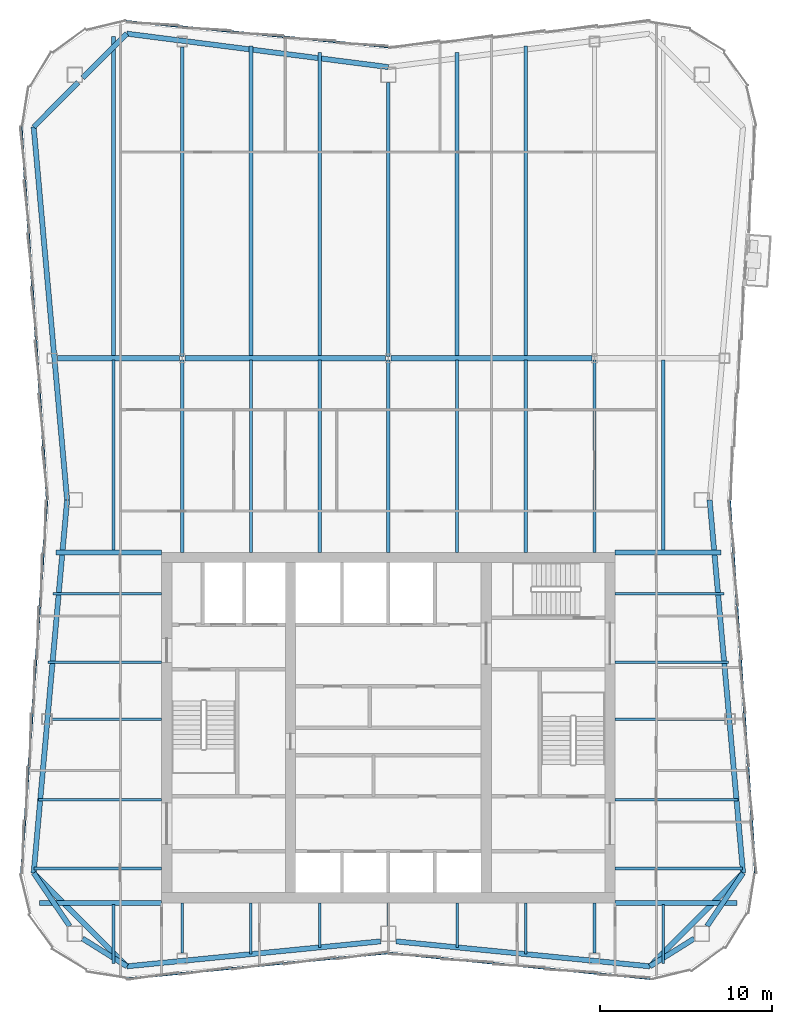
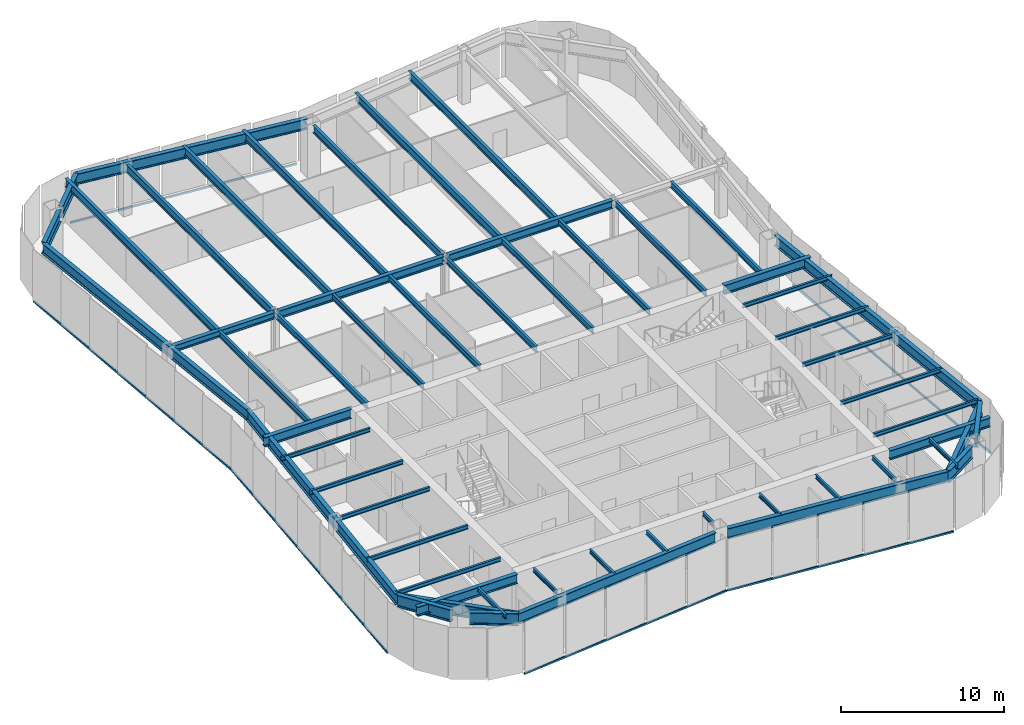
# One storey, part 3 of 10: 56 beams, 6 members, 4 elements without a shape of their own.
"""IFC4 building model written with IfcOpenShell, lengths in metres."""

from ifc_helpers import new_model, si_unit, direction, frame, origin, origin_2d, place, context, subcontext, project, spatial, rectangle, i_section, extrude, material, material_profile, profile_set, type_object, element, aggregate, save


model = new_model("IFC4")

# Units and contexts
model_context = context("Model", 3, precision=1e-05, world=origin(), true_north=direction((0.0, 1.0)))
body_context = subcontext(model_context, "Body", "Model", "MODEL_VIEW")
ifc_project = project(units=[si_unit("LENGTHUNIT", "METRE"), si_unit("AREAUNIT", "SQUARE_METRE"), si_unit("VOLUMEUNIT", "CUBIC_METRE"), si_unit("PLANEANGLEUNIT", "RADIAN"), si_unit("MASSUNIT", "GRAM", prefix="KILO")], contexts=[model_context])

# Site, building, storey
site_placement = place(None, origin())
site = spatial("IfcSite", under=ifc_project, at=site_placement, CompositionType="ELEMENT")
building_placement = place(site_placement, origin())
building = spatial("IfcBuilding", under=site, at=building_placement, Name="Verdant Reach Tower", CompositionType="ELEMENT")
storey_placement = place(building_placement, frame((0.0, 0.0, 310.0)))
storey = spatial("IfcBuildingStorey", under=building, at=storey_placement, Name="L71", CompositionType="ELEMENT", Elevation=310.0)

# Curtain wall, member
ifc_material_1 = material(Name="Anodised aluminium", Category="aluminium")
curtain_wall_type = type_object("IfcCurtainWallType", Name="EN-CW SYSTEM Z5", PredefinedType="NOTDEFINED", material=ifc_material_1)
curtain_wall_1_placement = place(storey_placement, origin())
curtain_wall_1 = element("IfcCurtainWall", 1, at=curtain_wall_1_placement, inside=storey, type_object=curtain_wall_type, Name="Curtain wall east, L71", PredefinedType="NOTDEFINED")
ifc_material_profile_1 = material_profile(ifc_material_1, rectangle(XDim=0.10009765625, YDim=0.1298828125, at=origin_2d()), Name="Transom 130x100")
ifc_profile_set_1 = profile_set([ifc_material_profile_1], Name="Anodised aluminium")
member_type = type_object("IfcMemberType", Name="EN-TRANSOM Z5", PredefinedType="USERDEFINED", material=ifc_profile_set_1)
member_1_placement = place(storey_placement, frame((21.3623046875, 19.527587890625, -0.284912109375), z_axis=(-0.068764705107, 0.997632906099, 0.0), x_axis=(-0.997632906099, -0.068764705107, 0.0)))
member_1 = element("IfcMember", 2, at=member_1_placement, type_object=member_type, Name="Transom east face part 1 1.1, L71", ObjectType="TRANSOM", PredefinedType="USERDEFINED", context=body_context, shape_type="SweptSolid", body=[
    extrude(rectangle(XDim=0.10009765625, YDim=0.1298828125, at=origin_2d()), origin(), (0.0, 0.0, 1.0), 21.739013671875),
])
aggregate(curtain_wall_1, [member_1])

curtain_wall_2_placement = place(storey_placement, origin())
curtain_wall_2 = element("IfcCurtainWall", 3, at=curtain_wall_2_placement, inside=storey, type_object=curtain_wall_type, Name="Curtain wall north, L71", PredefinedType="NOTDEFINED")
member_2_placement = place(storey_placement, frame((-0.034912109375, 67.618408203125, -0.284912109375), z_axis=(-0.99520229006, 0.097838652171, 0.0), x_axis=(-0.097838652171, -0.99520229006, 0.0)))
member_2 = element("IfcMember", 4, at=member_2_placement, type_object=member_type, Name="Transom north face part 2 1.1, L71", ObjectType="TRANSOM", PredefinedType="USERDEFINED", context=body_context, shape_type="SweptSolid", body=[
    extrude(rectangle(XDim=0.10009765625, YDim=0.1298828125, at=origin_2d()), origin(), (0.0, 0.0, 1.0), 15.259033203125),
])
aggregate(curtain_wall_2, [member_2])

# Curtain wall, members
curtain_wall_3_placement = place(storey_placement, origin())
curtain_wall_3 = element("IfcCurtainWall", 5, at=curtain_wall_3_placement, inside=storey, type_object=curtain_wall_type, Name="Curtain wall west, L71", PredefinedType="NOTDEFINED")
member_3_placement = place(storey_placement, frame((-21.3623046875, 62.972412109375, -0.284912109375), z_axis=(0.068764705107, -0.997632906099, 0.0), x_axis=(0.997632906099, 0.068764705107, 0.0)))
member_3 = element("IfcMember", 6, at=member_3_placement, type_object=member_type, Name="Transom west face part 1 1.1, L71", ObjectType="TRANSOM", PredefinedType="USERDEFINED", context=body_context, shape_type="SweptSolid", body=[
    extrude(rectangle(XDim=0.10009765625, YDim=0.1298828125, at=origin_2d()), origin(), (0.0, 0.0, 1.0), 21.739013671875),
])
member_4_placement = place(storey_placement, frame((-19.867431640625, 41.215087890625, -0.284912109375), z_axis=(-0.068764705107, -0.997632906099, 0.0), x_axis=(0.997632906099, -0.068764705107, 0.0)))
member_4 = element("IfcMember", 7, at=member_4_placement, type_object=member_type, Name="Transom west face part 2 1.1, L71", ObjectType="TRANSOM", PredefinedType="USERDEFINED", context=body_context, shape_type="SweptSolid", body=[
    extrude(rectangle(XDim=0.10009765625, YDim=0.1298828125, at=origin_2d()), origin(), (0.0, 0.0, 1.0), 21.739013671875),
])
aggregate(curtain_wall_3, [member_3, member_4])

curtain_wall_4_placement = place(storey_placement, origin())
curtain_wall_4 = element("IfcCurtainWall", 8, at=curtain_wall_4_placement, inside=storey, type_object=curtain_wall_type, Name="Curtain wall south, L71", PredefinedType="NOTDEFINED")
member_5_placement = place(storey_placement, frame((-15.220703125, 13.388671875, -0.284912109375), z_axis=(0.99520229006, 0.097838652171, 0.0), x_axis=(-0.097838652171, 0.99520229006, 0.0)))
member_5 = element("IfcMember", 9, at=member_5_placement, type_object=member_type, Name="Transom south face part 1 1.1, L71", ObjectType="TRANSOM", PredefinedType="USERDEFINED", context=body_context, shape_type="SweptSolid", body=[
    extrude(rectangle(XDim=0.10009765625, YDim=0.1298828125, at=origin_2d()), origin(), (0.0, 0.0, 1.0), 15.259033203125),
])
member_6_placement = place(storey_placement, frame((0.034912109375, 14.881591796875, -0.284912109375), z_axis=(0.99520229006, -0.097838652171, 0.0), x_axis=(0.097838652171, 0.99520229006, 0.0)))
member_6 = element("IfcMember", 10, at=member_6_placement, type_object=member_type, Name="Transom south face part 2 1.1, L71", ObjectType="TRANSOM", PredefinedType="USERDEFINED", context=body_context, shape_type="SweptSolid", body=[
    extrude(rectangle(XDim=0.10009765625, YDim=0.1298828125, at=origin_2d()), origin(), (0.0, 0.0, 1.0), 15.259033203125),
])
aggregate(curtain_wall_4, [member_5, member_6])

# Beams
ifc_material_2 = material(Name="Steel S355", Category="steel")
ifc_material_profile_2 = material_profile(ifc_material_2, i_section(OverallWidth=0.300048828125, OverallDepth=0.489990234375, WebThickness=0.011962890625, FlangeThickness=0.02294921875, FilletRadius=0.027099609375, at=origin_2d()), Name="HEA 500")
ifc_profile_set_2 = profile_set([ifc_material_profile_2], Name="Steel S355")
beam_type_1 = type_object("IfcBeamType", Name="ST-BEAM-HEA500", PredefinedType="BEAM", material=ifc_profile_set_2)
beam_1_placement = place(storey_placement, frame((-19.26904296875, 49.5, 3.625), z_axis=(1.0, 0.0, 0.0), x_axis=(0.0, 1.0, 0.0)))
element("IfcBeam", 11, at=beam_1_placement, inside=storey, type_object=beam_type_1, Name="Row girder, L71", PredefinedType="BEAM", context=body_context, shape_type="SweptSolid", body=[
    extrude(i_section(OverallWidth=0.300048828125, OverallDepth=0.489990234375, WebThickness=0.011962890625, FlangeThickness=0.02294921875, FilletRadius=0.027099609375, at=origin_2d()), origin(), (0.0, 0.0, 1.0), 7.115966796875),
])
ifc_material_profile_3 = material_profile(ifc_material_2, i_section(OverallWidth=0.300048828125, OverallDepth=0.60009765625, WebThickness=0.015380859375, FlangeThickness=0.030029296875, FilletRadius=0.027099609375, at=origin_2d()), Name="HEB 600")
ifc_profile_set_3 = profile_set([ifc_material_profile_3], Name="Steel S355")
beam_type_2 = type_object("IfcBeamType", Name="ST-BEAM-HEB600", PredefinedType="BEAM", material=ifc_profile_set_3)
for number, where, z_axis, x_axis, name in (
    (12, (-11.846923828125, 49.5, 3.570068359375), (1.0, 0.0, 0.0), (0.0, 1.0, 0.0), "Row girder, L71"),
    (13, (0.153076171875, 49.5, 3.570068359375), (1.0, 0.0, 0.0), (0.0, 1.0, 0.0), "Row girder, L71"),
):
    element("IfcBeam", number, at=place(storey_placement, frame(where, z_axis=z_axis, x_axis=x_axis)), inside=storey, type_object=beam_type_2, Name=name, PredefinedType="BEAM", context=body_context, shape_type="SweptSolid", body=[
        extrude(i_section(OverallWidth=0.300048828125, OverallDepth=0.60009765625, WebThickness=0.015380859375, FlangeThickness=0.030029296875, FilletRadius=0.027099609375, at=origin_2d()), origin(), (0.0, 0.0, 1.0), 11.69384765625),
    ])
ifc_material_profile_4 = material_profile(ifc_material_2, i_section(OverallWidth=0.300048828125, OverallDepth=0.699951171875, WebThickness=0.01708984375, FlangeThickness=0.031982421875, FilletRadius=0.027099609375, at=origin_2d()), Name="HEB 700")
ifc_profile_set_4 = profile_set([ifc_material_profile_4], Name="Steel S355")
beam_type_3 = type_object("IfcBeamType", Name="ST-BEAM-HEB700", PredefinedType="BEAM", material=ifc_profile_set_4)
for number, where, z_axis, x_axis, name in (
    (14, (13.199951171875, 38.199951171875, 3.52001953125), (1.0, 0.0, 0.0), (0.0, 1.0, 0.0), "Trimmer beam, L71"),
    (15, (-13.199951171875, 38.199951171875, 3.52001953125), (-1.0, 0.0, 0.0), (0.0, -1.0, 0.0), "Trimmer beam, L71"),
):
    element("IfcBeam", number, at=place(storey_placement, frame(where, z_axis=z_axis, x_axis=x_axis)), inside=storey, type_object=beam_type_3, Name=name, PredefinedType="BEAM", context=body_context, shape_type="SweptSolid", body=[
        extrude(i_section(OverallWidth=0.300048828125, OverallDepth=0.699951171875, WebThickness=0.01708984375, FlangeThickness=0.031982421875, FilletRadius=0.027099609375, at=origin_2d()), origin(), (0.0, 0.0, 1.0), 6.158935546875),
    ])
for number, where, z_axis, x_axis, name in (
    (16, (13.199951171875, 17.800048828125, 3.52001953125), (1.0, 0.0, 0.0), (0.0, 1.0, 0.0), "Trimmer beam, L71"),
    (17, (-13.199951171875, 17.800048828125, 3.52001953125), (-1.0, 0.0, 0.0), (0.0, -1.0, 0.0), "Trimmer beam, L71"),
):
    element("IfcBeam", number, at=place(storey_placement, frame(where, z_axis=z_axis, x_axis=x_axis)), inside=storey, type_object=beam_type_3, Name=name, PredefinedType="BEAM", context=body_context, shape_type="SweptSolid", body=[
        extrude(i_section(OverallWidth=0.300048828125, OverallDepth=0.699951171875, WebThickness=0.01708984375, FlangeThickness=0.031982421875, FilletRadius=0.027099609375, at=origin_2d()), origin(), (0.0, 0.0, 1.0), 7.10009765625),
    ])
ifc_material_profile_5 = material_profile(ifc_material_2, i_section(OverallWidth=0.302001953125, OverallDepth=0.909912109375, WebThickness=0.02099609375, FlangeThickness=0.0400390625, FilletRadius=0.030029296875, at=origin_2d()), Name="HEM 900")
ifc_profile_set_5 = profile_set([ifc_material_profile_5], Name="Steel S355")
beam_type_4 = type_object("IfcBeamType", Name="ST-BEAM-HEM900", PredefinedType="BEAM", material=ifc_profile_set_5)
beam_2_placement = place(storey_placement, frame((17.800048828125, 15.71875, 3.4150390625), z_axis=(-0.847903624467, -0.530150397166, 0.0), x_axis=(0.530150397166, -0.847903624467, 0.0)))
element("IfcBeam", 18, at=beam_2_placement, inside=storey, type_object=beam_type_4, Name="Column stub beam, L71", PredefinedType="BEAM", context=body_context, shape_type="SweptSolid", body=[
    extrude(i_section(OverallWidth=0.302001953125, OverallDepth=0.909912109375, WebThickness=0.02099609375, FlangeThickness=0.0400390625, FilletRadius=0.030029296875, at=origin_2d()), origin(), (0.0, 0.0, 1.0), 3.042724609375),
])
beam_3_placement = place(storey_placement, frame((18.5546875, 16.449951171875, 3.4150390625), z_axis=(0.560667226688, 0.828041219335, 0.0), x_axis=(-0.828041219335, 0.560667226688, 0.0)))
element("IfcBeam", 19, at=beam_3_placement, inside=storey, type_object=beam_type_4, Name="Column stub beam, L71", PredefinedType="BEAM", context=body_context, shape_type="SweptSolid", body=[
    extrude(i_section(OverallWidth=0.302001953125, OverallDepth=0.909912109375, WebThickness=0.02099609375, FlangeThickness=0.0400390625, FilletRadius=0.030029296875, at=origin_2d()), origin(), (0.0, 0.0, 1.0), 3.72998046875),
])
beam_4_placement = place(storey_placement, frame((-17.800048828125, 15.71875, 3.4150390625), z_axis=(0.847903624467, -0.530150397166, 0.0), x_axis=(0.530150397166, 0.847903624467, 0.0)))
element("IfcBeam", 20, at=beam_4_placement, inside=storey, type_object=beam_type_4, Name="Column stub beam, L71", PredefinedType="BEAM", context=body_context, shape_type="SweptSolid", body=[
    extrude(i_section(OverallWidth=0.302001953125, OverallDepth=0.909912109375, WebThickness=0.02099609375, FlangeThickness=0.0400390625, FilletRadius=0.030029296875, at=origin_2d()), origin(), (0.0, 0.0, 1.0), 3.042724609375),
])
beam_5_placement = place(storey_placement, frame((-18.5546875, 16.449951171875, 3.4150390625), z_axis=(-0.560667226688, 0.828041219335, 0.0), x_axis=(-0.828041219335, -0.560667226688, 0.0)))
element("IfcBeam", 21, at=beam_5_placement, inside=storey, type_object=beam_type_4, Name="Column stub beam, L71", PredefinedType="BEAM", context=body_context, shape_type="SweptSolid", body=[
    extrude(i_section(OverallWidth=0.302001953125, OverallDepth=0.909912109375, WebThickness=0.02099609375, FlangeThickness=0.0400390625, FilletRadius=0.030029296875, at=origin_2d()), origin(), (0.0, 0.0, 1.0), 3.72998046875),
])
ifc_material_profile_6 = material_profile(ifc_material_2, i_section(OverallWidth=0.14990234375, OverallDepth=0.300048828125, WebThickness=0.007080078125, FlangeThickness=0.0107421875, FilletRadius=0.014892578125, at=origin_2d()), Name="IPE 300")
ifc_profile_set_6 = profile_set([ifc_material_profile_6], Name="Steel S355")
beam_type_5 = type_object("IfcBeamType", Name="ST-JOIST-IPE300", PredefinedType="JOIST", material=ifc_profile_set_6)
beam_6_placement = place(storey_placement, frame((-16.0, 17.699951171875, 3.719970703125), z_axis=(0.0, -1.0, 0.0), x_axis=(1.0, 0.0, 0.0)))
element("IfcBeam", 22, at=beam_6_placement, inside=storey, type_object=beam_type_5, Name="Floor joist, L71", PredefinedType="JOIST", context=body_context, shape_type="SweptSolid", body=[
    extrude(i_section(OverallWidth=0.14990234375, OverallDepth=0.300048828125, WebThickness=0.007080078125, FlangeThickness=0.0107421875, FilletRadius=0.014892578125, at=origin_2d()), origin(), (0.0, 0.0, 1.0), 3.43896484375),
])
beam_7_placement = place(storey_placement, frame((-12.0, 17.800048828125, 3.719970703125), z_axis=(0.0, -1.0, 0.0), x_axis=(1.0, 0.0, 0.0)))
element("IfcBeam", 23, at=beam_7_placement, inside=storey, type_object=beam_type_5, Name="Floor joist, L71", PredefinedType="JOIST", context=body_context, shape_type="SweptSolid", body=[
    extrude(i_section(OverallWidth=0.14990234375, OverallDepth=0.300048828125, WebThickness=0.007080078125, FlangeThickness=0.0107421875, FilletRadius=0.014892578125, at=origin_2d()), origin(), (0.0, 0.0, 1.0), 2.930419921875),
])
beam_8_placement = place(storey_placement, frame((-8.0, 17.800048828125, 3.719970703125), z_axis=(0.0, -1.0, 0.0), x_axis=(1.0, 0.0, 0.0)))
element("IfcBeam", 24, at=beam_8_placement, inside=storey, type_object=beam_type_5, Name="Floor joist, L71", PredefinedType="JOIST", context=body_context, shape_type="SweptSolid", body=[
    extrude(i_section(OverallWidth=0.14990234375, OverallDepth=0.300048828125, WebThickness=0.007080078125, FlangeThickness=0.0107421875, FilletRadius=0.014892578125, at=origin_2d()), origin(), (0.0, 0.0, 1.0), 2.984130859375),
])
beam_9_placement = place(storey_placement, frame((-4.0, 17.800048828125, 3.719970703125), z_axis=(0.0, -1.0, 0.0), x_axis=(1.0, 0.0, 0.0)))
element("IfcBeam", 25, at=beam_9_placement, inside=storey, type_object=beam_type_5, Name="Floor joist, L71", PredefinedType="JOIST", context=body_context, shape_type="SweptSolid", body=[
    extrude(i_section(OverallWidth=0.14990234375, OverallDepth=0.300048828125, WebThickness=0.007080078125, FlangeThickness=0.0107421875, FilletRadius=0.014892578125, at=origin_2d()), origin(), (0.0, 0.0, 1.0), 2.590576171875),
])
beam_10_placement = place(storey_placement, frame((0.0, 17.800048828125, 3.719970703125), z_axis=(0.0, -1.0, 0.0), x_axis=(1.0, 0.0, 0.0)))
element("IfcBeam", 26, at=beam_10_placement, inside=storey, type_object=beam_type_5, Name="Floor joist, L71", PredefinedType="JOIST", context=body_context, shape_type="SweptSolid", body=[
    extrude(i_section(OverallWidth=0.14990234375, OverallDepth=0.300048828125, WebThickness=0.007080078125, FlangeThickness=0.0107421875, FilletRadius=0.014892578125, at=origin_2d()), origin(), (0.0, 0.0, 1.0), 1.35009765625),
])
beam_11_placement = place(storey_placement, frame((4.0, 17.800048828125, 3.719970703125), z_axis=(0.0, -1.0, 0.0), x_axis=(1.0, 0.0, 0.0)))
element("IfcBeam", 27, at=beam_11_placement, inside=storey, type_object=beam_type_5, Name="Floor joist, L71", PredefinedType="JOIST", context=body_context, shape_type="SweptSolid", body=[
    extrude(i_section(OverallWidth=0.14990234375, OverallDepth=0.300048828125, WebThickness=0.007080078125, FlangeThickness=0.0107421875, FilletRadius=0.014892578125, at=origin_2d()), origin(), (0.0, 0.0, 1.0), 2.590576171875),
])
beam_12_placement = place(storey_placement, frame((8.0, 17.800048828125, 3.719970703125), z_axis=(0.0, -1.0, 0.0), x_axis=(1.0, 0.0, 0.0)))
element("IfcBeam", 28, at=beam_12_placement, inside=storey, type_object=beam_type_5, Name="Floor joist, L71", PredefinedType="JOIST", context=body_context, shape_type="SweptSolid", body=[
    extrude(i_section(OverallWidth=0.14990234375, OverallDepth=0.300048828125, WebThickness=0.007080078125, FlangeThickness=0.0107421875, FilletRadius=0.014892578125, at=origin_2d()), origin(), (0.0, 0.0, 1.0), 2.984130859375),
])
beam_13_placement = place(storey_placement, frame((12.0, 17.800048828125, 3.719970703125), z_axis=(0.0, -1.0, 0.0), x_axis=(1.0, 0.0, 0.0)))
element("IfcBeam", 29, at=beam_13_placement, inside=storey, type_object=beam_type_5, Name="Floor joist, L71", PredefinedType="JOIST", context=body_context, shape_type="SweptSolid", body=[
    extrude(i_section(OverallWidth=0.14990234375, OverallDepth=0.300048828125, WebThickness=0.007080078125, FlangeThickness=0.0107421875, FilletRadius=0.014892578125, at=origin_2d()), origin(), (0.0, 0.0, 1.0), 2.930419921875),
])
beam_14_placement = place(storey_placement, frame((16.0, 17.699951171875, 3.719970703125), z_axis=(0.0, -1.0, 0.0), x_axis=(1.0, 0.0, 0.0)))
element("IfcBeam", 30, at=beam_14_placement, inside=storey, type_object=beam_type_5, Name="Floor joist, L71", PredefinedType="JOIST", context=body_context, shape_type="SweptSolid", body=[
    extrude(i_section(OverallWidth=0.14990234375, OverallDepth=0.300048828125, WebThickness=0.007080078125, FlangeThickness=0.0107421875, FilletRadius=0.014892578125, at=origin_2d()), origin(), (0.0, 0.0, 1.0), 3.43896484375),
])
for number, where, z_axis, x_axis, name in (
    (31, (13.199951171875, 19.800048828125, 3.719970703125), (1.0, 0.0, 0.0), (0.0, 1.0, 0.0), "Floor joist, L71"),
    (32, (-13.199951171875, 19.800048828125, 3.719970703125), (-1.0, 0.0, 0.0), (0.0, -1.0, 0.0), "Floor joist, L71"),
):
    element("IfcBeam", number, at=place(storey_placement, frame(where, z_axis=z_axis, x_axis=x_axis)), inside=storey, type_object=beam_type_5, Name=name, PredefinedType="JOIST", context=body_context, shape_type="SweptSolid", body=[
        extrude(i_section(OverallWidth=0.14990234375, OverallDepth=0.300048828125, WebThickness=0.007080078125, FlangeThickness=0.0107421875, FilletRadius=0.014892578125, at=origin_2d()), origin(), (0.0, 0.0, 1.0), 7.427978515625),
    ])
for number, where, z_axis, x_axis, name in (
    (33, (13.199951171875, 23.800048828125, 3.719970703125), (1.0, 0.0, 0.0), (0.0, 1.0, 0.0), "Floor joist, L71"),
    (34, (-13.199951171875, 23.800048828125, 3.719970703125), (-1.0, 0.0, 0.0), (0.0, -1.0, 0.0), "Floor joist, L71"),
):
    element("IfcBeam", number, at=place(storey_placement, frame(where, z_axis=z_axis, x_axis=x_axis)), inside=storey, type_object=beam_type_5, Name=name, PredefinedType="JOIST", context=body_context, shape_type="SweptSolid", body=[
        extrude(i_section(OverallWidth=0.14990234375, OverallDepth=0.300048828125, WebThickness=0.007080078125, FlangeThickness=0.0107421875, FilletRadius=0.014892578125, at=origin_2d()), origin(), (0.0, 0.0, 1.0), 7.152099609375),
    ])
for number, where, z_axis, x_axis, name in (
    (35, (13.199951171875, 28.5, 3.719970703125), (1.0, 0.0, 0.0), (0.0, 1.0, 0.0), "Floor joist, L71"),
    (36, (-13.199951171875, 28.5, 3.719970703125), (-1.0, 0.0, 0.0), (0.0, -1.0, 0.0), "Floor joist, L71"),
):
    element("IfcBeam", number, at=place(storey_placement, frame(where, z_axis=z_axis, x_axis=x_axis)), inside=storey, type_object=beam_type_5, Name=name, PredefinedType="JOIST", context=body_context, shape_type="SweptSolid", body=[
        extrude(i_section(OverallWidth=0.14990234375, OverallDepth=0.300048828125, WebThickness=0.007080078125, FlangeThickness=0.0107421875, FilletRadius=0.014892578125, at=origin_2d()), origin(), (0.0, 0.0, 1.0), 6.37939453125),
    ])
for number, where, z_axis, x_axis, name in (
    (37, (13.199951171875, 31.800048828125, 3.719970703125), (1.0, 0.0, 0.0), (0.0, 1.0, 0.0), "Floor joist, L71"),
    (38, (-13.199951171875, 31.800048828125, 3.719970703125), (-1.0, 0.0, 0.0), (0.0, -1.0, 0.0), "Floor joist, L71"),
):
    element("IfcBeam", number, at=place(storey_placement, frame(where, z_axis=z_axis, x_axis=x_axis)), inside=storey, type_object=beam_type_5, Name=name, PredefinedType="JOIST", context=body_context, shape_type="SweptSolid", body=[
        extrude(i_section(OverallWidth=0.14990234375, OverallDepth=0.300048828125, WebThickness=0.007080078125, FlangeThickness=0.0107421875, FilletRadius=0.014892578125, at=origin_2d()), origin(), (0.0, 0.0, 1.0), 6.600341796875),
    ])
for number, where, z_axis, x_axis, name in (
    (39, (13.199951171875, 35.800048828125, 3.719970703125), (1.0, 0.0, 0.0), (0.0, 1.0, 0.0), "Floor joist, L71"),
    (40, (-13.199951171875, 35.800048828125, 3.719970703125), (-1.0, 0.0, 0.0), (0.0, -1.0, 0.0), "Floor joist, L71"),
):
    element("IfcBeam", number, at=place(storey_placement, frame(where, z_axis=z_axis, x_axis=x_axis)), inside=storey, type_object=beam_type_5, Name=name, PredefinedType="JOIST", context=body_context, shape_type="SweptSolid", body=[
        extrude(i_section(OverallWidth=0.14990234375, OverallDepth=0.300048828125, WebThickness=0.007080078125, FlangeThickness=0.0107421875, FilletRadius=0.014892578125, at=origin_2d()), origin(), (0.0, 0.0, 1.0), 6.324462890625),
    ])
ifc_material_profile_7 = material_profile(ifc_material_2, i_section(OverallWidth=0.18994140625, OverallDepth=0.449951171875, WebThickness=0.009521484375, FlangeThickness=0.0146484375, FilletRadius=0.02099609375, at=origin_2d()), Name="IPE 450")
ifc_profile_set_7 = profile_set([ifc_material_profile_7], Name="Steel S355")
beam_type_6 = type_object("IfcBeamType", Name="ST-JOIST-IPE450", PredefinedType="JOIST", material=ifc_profile_set_7)
beam_15_placement = place(storey_placement, frame((-16.0, 38.300048828125, 3.64501953125), z_axis=(0.0, 1.0, 0.0), x_axis=(-1.0, 0.0, 0.0)))
element("IfcBeam", 41, at=beam_15_placement, inside=storey, type_object=beam_type_6, Name="Floor joist, L71", PredefinedType="JOIST", context=body_context, shape_type="SweptSolid", body=[
    extrude(i_section(OverallWidth=0.18994140625, OverallDepth=0.449951171875, WebThickness=0.009521484375, FlangeThickness=0.0146484375, FilletRadius=0.02099609375, at=origin_2d()), origin(), (0.0, 0.0, 1.0), 11.099853515625),
])
for number, where, z_axis, x_axis, name in (
    (42, (-12.0, 38.199951171875, 3.64501953125), (0.0, 1.0, 0.0), (-1.0, 0.0, 0.0), "Floor joist, L71"),
    (43, (-8.0, 38.199951171875, 3.64501953125), (0.0, 1.0, 0.0), (-1.0, 0.0, 0.0), "Floor joist, L71"),
    (44, (-4.0, 38.199951171875, 3.64501953125), (0.0, 1.0, 0.0), (-1.0, 0.0, 0.0), "Floor joist, L71"),
    (45, (0.0, 38.199951171875, 3.64501953125), (0.0, 1.0, 0.0), (-1.0, 0.0, 0.0), "Floor joist, L71"),
    (46, (4.0, 38.199951171875, 3.64501953125), (0.0, 1.0, 0.0), (-1.0, 0.0, 0.0), "Floor joist, L71"),
    (47, (8.0, 38.199951171875, 3.64501953125), (0.0, 1.0, 0.0), (-1.0, 0.0, 0.0), "Floor joist, L71"),
    (48, (12.0, 38.199951171875, 3.64501953125), (0.0, 1.0, 0.0), (-1.0, 0.0, 0.0), "Floor joist, L71"),
):
    element("IfcBeam", number, at=place(storey_placement, frame(where, z_axis=z_axis, x_axis=x_axis)), inside=storey, type_object=beam_type_6, Name=name, PredefinedType="JOIST", context=body_context, shape_type="SweptSolid", body=[
        extrude(i_section(OverallWidth=0.18994140625, OverallDepth=0.449951171875, WebThickness=0.009521484375, FlangeThickness=0.0146484375, FilletRadius=0.02099609375, at=origin_2d()), origin(), (0.0, 0.0, 1.0), 11.199951171875),
    ])
beam_16_placement = place(storey_placement, frame((16.0, 38.300048828125, 3.64501953125), z_axis=(0.0, 1.0, 0.0), x_axis=(-1.0, 0.0, 0.0)))
element("IfcBeam", 49, at=beam_16_placement, inside=storey, type_object=beam_type_6, Name="Floor joist, L71", PredefinedType="JOIST", context=body_context, shape_type="SweptSolid", body=[
    extrude(i_section(OverallWidth=0.18994140625, OverallDepth=0.449951171875, WebThickness=0.009521484375, FlangeThickness=0.0146484375, FilletRadius=0.02099609375, at=origin_2d()), origin(), (0.0, 0.0, 1.0), 11.099853515625),
])
ifc_material_profile_8 = material_profile(ifc_material_2, i_section(OverallWidth=0.2099609375, OverallDepth=0.550048828125, WebThickness=0.010986328125, FlangeThickness=0.01708984375, FilletRadius=0.02392578125, at=origin_2d()), Name="IPE 550")
ifc_profile_set_8 = profile_set([ifc_material_profile_8], Name="Steel S355")
beam_type_7 = type_object("IfcBeamType", Name="ST-JOIST-IPE550", PredefinedType="JOIST", material=ifc_profile_set_8)
beam_17_placement = place(storey_placement, frame((0.0, 49.60009765625, 3.594970703125), z_axis=(0.0, 1.0, 0.0), x_axis=(-1.0, 0.0, 0.0)))
element("IfcBeam", 50, at=beam_17_placement, inside=storey, type_object=beam_type_7, Name="Floor joist, L71", PredefinedType="JOIST", context=body_context, shape_type="SweptSolid", body=[
    extrude(i_section(OverallWidth=0.2099609375, OverallDepth=0.550048828125, WebThickness=0.010986328125, FlangeThickness=0.01708984375, FilletRadius=0.02392578125, at=origin_2d()), origin(), (0.0, 0.0, 1.0), 15.949951171875),
])
ifc_material_profile_9 = material_profile(ifc_material_2, i_section(OverallWidth=0.219970703125, OverallDepth=0.60009765625, WebThickness=0.011962890625, FlangeThickness=0.01904296875, FilletRadius=0.02392578125, at=origin_2d()), Name="IPE 600")
ifc_profile_set_9 = profile_set([ifc_material_profile_9], Name="Steel S355")
beam_type_8 = type_object("IfcBeamType", Name="ST-JOIST-IPE600", PredefinedType="JOIST", material=ifc_profile_set_9)
beam_18_placement = place(storey_placement, frame((-16.0, 49.60009765625, 3.570068359375), z_axis=(0.0, 1.0, 0.0), x_axis=(-1.0, 0.0, 0.0)))
element("IfcBeam", 51, at=beam_18_placement, inside=storey, type_object=beam_type_8, Name="Floor joist, L71", PredefinedType="JOIST", context=body_context, shape_type="SweptSolid", body=[
    extrude(i_section(OverallWidth=0.219970703125, OverallDepth=0.60009765625, WebThickness=0.011962890625, FlangeThickness=0.01904296875, FilletRadius=0.02392578125, at=origin_2d()), origin(), (0.0, 0.0, 1.0), 18.638916015625),
])
beam_19_placement = place(storey_placement, frame((-12.0, 49.60009765625, 3.570068359375), z_axis=(0.0, 1.0, 0.0), x_axis=(-1.0, 0.0, 0.0)))
element("IfcBeam", 52, at=beam_19_placement, inside=storey, type_object=beam_type_8, Name="Floor joist, L71", PredefinedType="JOIST", context=body_context, shape_type="SweptSolid", body=[
    extrude(i_section(OverallWidth=0.219970703125, OverallDepth=0.60009765625, WebThickness=0.011962890625, FlangeThickness=0.01904296875, FilletRadius=0.02392578125, at=origin_2d()), origin(), (0.0, 0.0, 1.0), 18.0302734375),
])
beam_20_placement = place(storey_placement, frame((-8.0, 49.60009765625, 3.570068359375), z_axis=(0.0, 1.0, 0.0), x_axis=(-1.0, 0.0, 0.0)))
element("IfcBeam", 53, at=beam_20_placement, inside=storey, type_object=beam_type_8, Name="Floor joist, L71", PredefinedType="JOIST", context=body_context, shape_type="SweptSolid", body=[
    extrude(i_section(OverallWidth=0.219970703125, OverallDepth=0.60009765625, WebThickness=0.011962890625, FlangeThickness=0.01904296875, FilletRadius=0.02392578125, at=origin_2d()), origin(), (0.0, 0.0, 1.0), 18.083984375),
])
for number, where, z_axis, x_axis, name in (
    (54, (-4.0, 49.60009765625, 3.570068359375), (0.0, 1.0, 0.0), (-1.0, 0.0, 0.0), "Floor joist, L71"),
    (55, (4.0, 49.60009765625, 3.570068359375), (0.0, 1.0, 0.0), (-1.0, 0.0, 0.0), "Floor joist, L71"),
):
    element("IfcBeam", number, at=place(storey_placement, frame(where, z_axis=z_axis, x_axis=x_axis)), inside=storey, type_object=beam_type_8, Name=name, PredefinedType="JOIST", context=body_context, shape_type="SweptSolid", body=[
        extrude(i_section(OverallWidth=0.219970703125, OverallDepth=0.60009765625, WebThickness=0.011962890625, FlangeThickness=0.01904296875, FilletRadius=0.02392578125, at=origin_2d()), origin(), (0.0, 0.0, 1.0), 17.6904296875),
    ])
beam_21_placement = place(storey_placement, frame((8.0, 49.60009765625, 3.570068359375), z_axis=(0.0, 1.0, 0.0), x_axis=(-1.0, 0.0, 0.0)))
element("IfcBeam", 56, at=beam_21_placement, inside=storey, type_object=beam_type_8, Name="Floor joist, L71", PredefinedType="JOIST", context=body_context, shape_type="SweptSolid", body=[
    extrude(i_section(OverallWidth=0.219970703125, OverallDepth=0.60009765625, WebThickness=0.011962890625, FlangeThickness=0.01904296875, FilletRadius=0.02392578125, at=origin_2d()), origin(), (0.0, 0.0, 1.0), 18.083984375),
])
ifc_material_profile_10 = material_profile(ifc_material_2, i_section(OverallWidth=0.300048828125, OverallDepth=0.800048828125, WebThickness=0.017578125, FlangeThickness=0.032958984375, FilletRadius=0.030029296875, at=origin_2d()), Name="HEB 800")
ifc_profile_set_10 = profile_set([ifc_material_profile_10], Name="Steel S355")
beam_type_9 = type_object("IfcBeamType", Name="ST-SPANDREL-HEB800", PredefinedType="SPANDREL", material=ifc_profile_set_10)
for number, where, z_axis, x_axis, name in (
    (57, (15.22021484375, 14.105712890625, 3.469970703125), (-0.995196964263, 0.097892810366, 0.0), (-0.097892810366, -0.995196964263, 0.0), "Edge beam, L71"),
    (58, (-0.449951171875, 15.55859375, 3.469970703125), (-0.995196964263, -0.097892810366, 0.0), (0.097892810366, -0.995196964263, 0.0), "Edge beam, L71"),
):
    element("IfcBeam", number, at=place(storey_placement, frame(where, z_axis=z_axis, x_axis=x_axis)), inside=storey, type_object=beam_type_9, Name=name, PredefinedType="SPANDREL", context=body_context, shape_type="SweptSolid", body=[
        extrude(i_section(OverallWidth=0.300048828125, OverallDepth=0.800048828125, WebThickness=0.017578125, FlangeThickness=0.032958984375, FilletRadius=0.030029296875, at=origin_2d()), origin(), (0.0, 0.0, 1.0), 14.841552734375),
    ])
for number, where, z_axis, x_axis, name in (
    (59, (-20.64599609375, 19.53857421875, 3.469970703125), (0.089274399498, 0.996007069048, 0.0), (-0.996007069048, 0.089274399498, 0.0), "Edge beam, L71"),
    (60, (-18.699951171875, 41.25, 3.469970703125), (-0.089274399498, 0.996007069048, 0.0), (-0.996007069048, -0.089274399498, 0.0), "Edge beam, L71"),
):
    element("IfcBeam", number, at=place(storey_placement, frame(where, z_axis=z_axis, x_axis=x_axis)), inside=storey, type_object=beam_type_9, Name=name, PredefinedType="SPANDREL", context=body_context, shape_type="SweptSolid", body=[
        extrude(i_section(OverallWidth=0.300048828125, OverallDepth=0.800048828125, WebThickness=0.017578125, FlangeThickness=0.032958984375, FilletRadius=0.030029296875, at=origin_2d()), origin(), (0.0, 0.0, 1.0), 21.798583984375),
    ])
beam_22_placement = place(storey_placement, frame((-15.22021484375, 68.394287109375, 3.469970703125), z_axis=(0.991938889669, -0.126717162063, 0.0), x_axis=(0.126717162063, 0.991938889669, 0.0)))
element("IfcBeam", 61, at=beam_22_placement, inside=storey, type_object=beam_type_9, Name="Edge beam, L71", PredefinedType="SPANDREL", context=body_context, shape_type="SweptSolid", body=[
    extrude(i_section(OverallWidth=0.300048828125, OverallDepth=0.800048828125, WebThickness=0.017578125, FlangeThickness=0.032958984375, FilletRadius=0.030029296875, at=origin_2d()), origin(), (0.0, 0.0, 1.0), 15.343994140625),
])
beam_23_placement = place(storey_placement, frame((18.699951171875, 41.25, 3.469970703125), z_axis=(0.089274399498, -0.996007069048, 0.0), x_axis=(0.996007069048, 0.089274399498, 0.0)))
element("IfcBeam", 62, at=beam_23_placement, inside=storey, type_object=beam_type_9, Name="Edge beam, L71", PredefinedType="SPANDREL", context=body_context, shape_type="SweptSolid", body=[
    extrude(i_section(OverallWidth=0.300048828125, OverallDepth=0.800048828125, WebThickness=0.017578125, FlangeThickness=0.032958984375, FilletRadius=0.030029296875, at=origin_2d()), origin(), (0.0, 0.0, 1.0), 21.798583984375),
])
ifc_material_profile_11 = material_profile(ifc_material_2, i_section(OverallWidth=0.302001953125, OverallDepth=0.909912109375, WebThickness=0.02099609375, FlangeThickness=0.0400390625, FilletRadius=0.030029296875, at=origin_2d()), Name="HEM 900")
ifc_profile_set_11 = profile_set([ifc_material_profile_11], Name="Steel S355")
beam_type_10 = type_object("IfcBeamType", Name="ST-SPANDREL-HEM900", PredefinedType="SPANDREL", material=ifc_profile_set_11)
beam_24_placement = place(storey_placement, frame((-15.22021484375, 14.105712890625, 3.4150390625), z_axis=(-0.706645581521, 0.707567680237, 0.0), x_axis=(-0.707567680237, -0.706645581521, 0.0)))
element("IfcBeam", 63, at=beam_24_placement, inside=storey, type_object=beam_type_10, Name="Edge beam, L71", PredefinedType="SPANDREL", context=body_context, shape_type="SweptSolid", body=[
    extrude(i_section(OverallWidth=0.302001953125, OverallDepth=0.909912109375, WebThickness=0.02099609375, FlangeThickness=0.0400390625, FilletRadius=0.030029296875, at=origin_2d()), origin(), (0.0, 0.0, 1.0), 7.67822265625),
])
beam_25_placement = place(storey_placement, frame((-20.64599609375, 62.96142578125, 3.4150390625), z_axis=(0.706639493403, 0.707573760369, 0.0), x_axis=(-0.707573760369, 0.706639493403, 0.0)))
element("IfcBeam", 64, at=beam_25_placement, inside=storey, type_object=beam_type_10, Name="Edge beam, L71", PredefinedType="SPANDREL", context=body_context, shape_type="SweptSolid", body=[
    extrude(i_section(OverallWidth=0.302001953125, OverallDepth=0.909912109375, WebThickness=0.02099609375, FlangeThickness=0.0400390625, FilletRadius=0.030029296875, at=origin_2d()), origin(), (0.0, 0.0, 1.0), 3.658447265625),
])
beam_26_placement = place(storey_placement, frame((-17.800048828125, 65.81103515625, 3.4150390625), z_axis=(0.706638520854, 0.707574731632, 0.0), x_axis=(-0.707574731632, 0.706638520854, 0.0)))
element("IfcBeam", 65, at=beam_26_placement, inside=storey, type_object=beam_type_10, Name="Edge beam, L71", PredefinedType="SPANDREL", context=body_context, shape_type="SweptSolid", body=[
    extrude(i_section(OverallWidth=0.302001953125, OverallDepth=0.909912109375, WebThickness=0.02099609375, FlangeThickness=0.0400390625, FilletRadius=0.030029296875, at=origin_2d()), origin(), (0.0, 0.0, 1.0), 3.65087890625),
])
beam_27_placement = place(storey_placement, frame((20.64599609375, 19.53857421875, 3.4150390625), z_axis=(-0.706645581521, -0.707567680237, 0.0), x_axis=(0.707567680237, -0.706645581521, 0.0)))
element("IfcBeam", 66, at=beam_27_placement, inside=storey, type_object=beam_type_10, Name="Edge beam, L71", PredefinedType="SPANDREL", context=body_context, shape_type="SweptSolid", body=[
    extrude(i_section(OverallWidth=0.302001953125, OverallDepth=0.909912109375, WebThickness=0.02099609375, FlangeThickness=0.0400390625, FilletRadius=0.030029296875, at=origin_2d()), origin(), (0.0, 0.0, 1.0), 7.67822265625),
])

save(model, "model.ifc")
